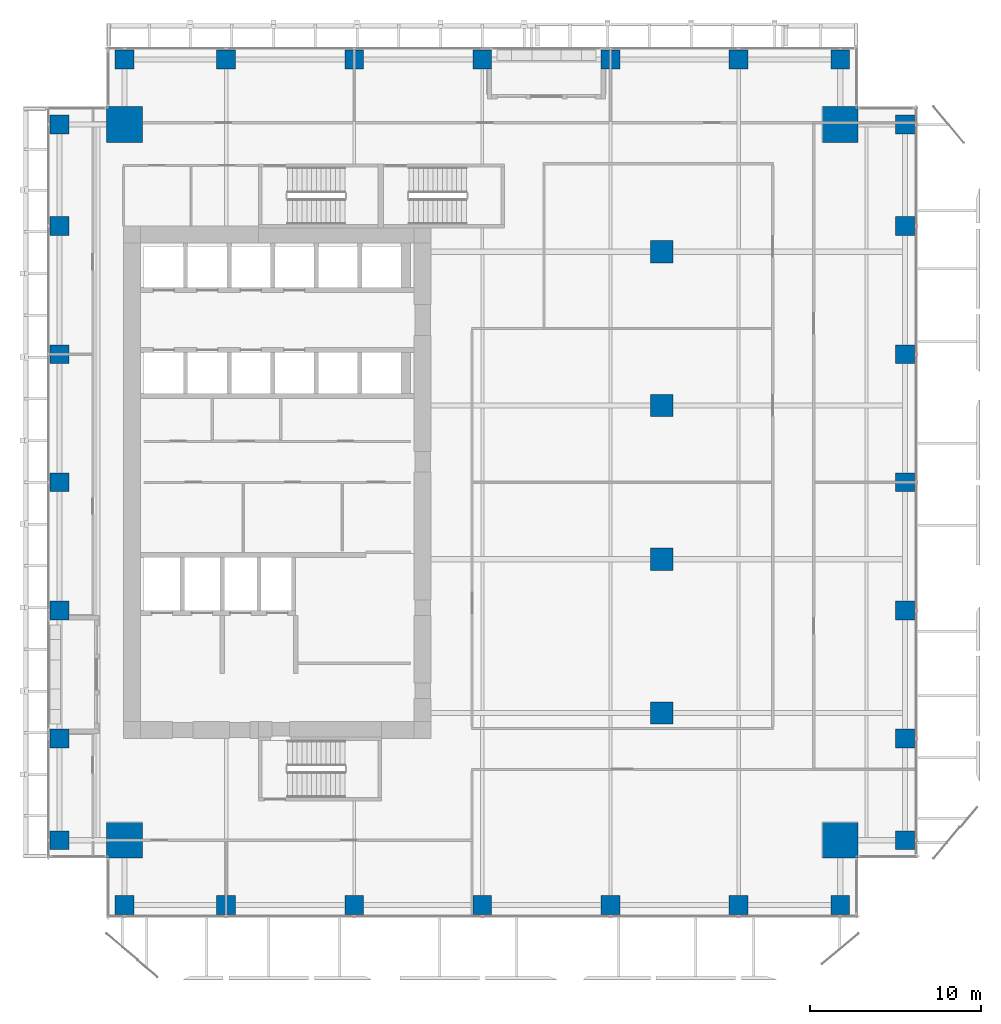
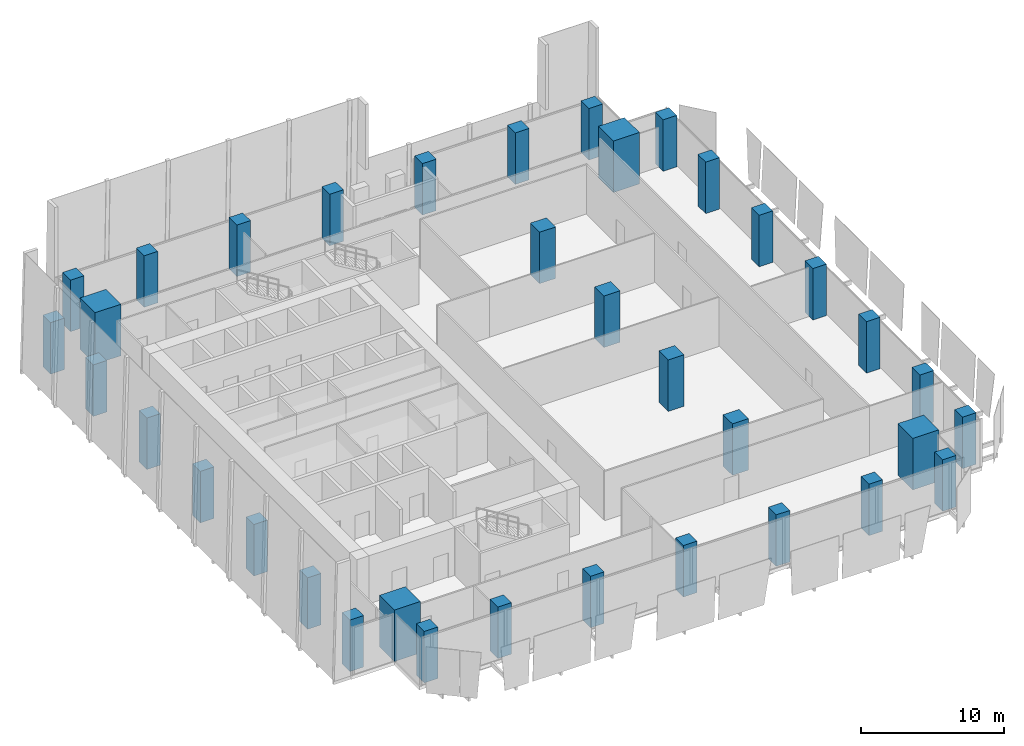
# One storey, part 1 of 34: 36 columns.
"""IFC4 building model written with IfcOpenShell, lengths in metres."""

import ifcopenshell
import ifcopenshell.guid

model = None  # the IFC model being written
_history = None  # IfcOwnerHistory: only IFC2X3 demands one
_inside = {}  # id of a spatial element -> (the spatial element, [elements in it])
_under = {}  # id of a project, library or spatial element -> (it, [spatial elements below it])
_declared = {}  # id of a project -> (the project, [libraries it declares])
_typed = {}  # id of a type object -> (the type object, [elements of that type])
_made_of = {}  # id of a material, layer set ... -> (it, [elements and type objects made of it])


def new_model(schema):
    """Start an empty IFC model of exactly this schema.

    Asked for "IFC4X3", IfcOpenShell would pick the latest addendum, in which some entities
    have other attributes; the version numbers below select the first issue.
    IFC2X3 requires an IfcOwnerHistory on every rooted entity: one is made here for all.
    """
    global model, _history
    if schema == "IFC4X3":
        model = ifcopenshell.file(schema_version=(4, 3, 0, 0))
    else:
        model = ifcopenshell.file(schema=schema)
    _inside.clear()
    _under.clear()
    _declared.clear()
    _typed.clear()
    _made_of.clear()
    _history = None
    if model.schema == "IFC2X3":
        org = make("IfcOrganization", Name="unknown")
        user = make(
            "IfcPersonAndOrganization",
            ThePerson=make("IfcPerson", FamilyName="unknown"),
            TheOrganization=org,
        )
        app = make(
            "IfcApplication",
            ApplicationDeveloper=org,
            Version="unknown",
            ApplicationFullName="unknown",
            ApplicationIdentifier="unknown",
        )
        _history = make(
            "IfcOwnerHistory",
            OwningUser=user,
            OwningApplication=app,
            ChangeAction="ADDED",
            CreationDate=0,
        )
    return model


def make(cls, **values):
    """One entity of the class cls with the attributes given. An attribute that is None is left unset."""
    return model.create_entity(
        cls, **{name: value for name, value in values.items() if value is not None}
    )


def rooted(cls, **values):
    """An entity with a GlobalId (a new one), such as an element, a storey or a relation."""
    return make(cls, GlobalId=ifcopenshell.guid.new(), OwnerHistory=_history, **values)


def si_unit(unit_type, name, prefix=None):
    """IfcSIUnit, for example si_unit("LENGTHUNIT", "METRE", prefix="MILLI")."""
    return make("IfcSIUnit", UnitType=unit_type, Prefix=prefix, Name=name)


def assignment(units):
    """IfcUnitAssignment: the units of a project."""
    return None if units is None else make("IfcUnitAssignment", Units=units)


def point(xyz):
    """IfcCartesianPoint."""
    return None if xyz is None else make("IfcCartesianPoint", Coordinates=xyz)


def direction(xyz):
    """IfcDirection."""
    return None if xyz is None else make("IfcDirection", DirectionRatios=xyz)


def frame(location, z_axis=None, x_axis=None):
    """IfcAxis2Placement3D, a coordinate frame: its origin and axes. An axis left out is left unset."""
    return make(
        "IfcAxis2Placement3D",
        Location=point(location),
        Axis=direction(z_axis),
        RefDirection=direction(x_axis),
    )


def frame_2d(location, x_axis=None):
    """IfcAxis2Placement2D, a coordinate frame in the plane: its origin and x axis."""
    return make(
        "IfcAxis2Placement2D", Location=point(location), RefDirection=direction(x_axis)
    )


def origin():
    """The frame at (0, 0, 0) with its axes left unset."""
    return frame((0.0, 0.0, 0.0))


def origin_2d():
    """The frame at (0, 0) in the plane with its x axis left unset."""
    return frame_2d((0.0, 0.0))


def place(relative_to, where):
    """IfcLocalPlacement: puts the frame where relative to a parent placement (None: the world)."""
    return make(
        "IfcLocalPlacement", PlacementRelTo=relative_to, RelativePlacement=where
    )


def context(
    kind, dimensions, precision=None, world=None, true_north=None, identifier=None
):
    """IfcGeometricRepresentationContext, for example the 3D "Model" context."""
    return make(
        "IfcGeometricRepresentationContext",
        ContextIdentifier=identifier,
        ContextType=kind,
        CoordinateSpaceDimension=dimensions,
        Precision=precision,
        WorldCoordinateSystem=world,
        TrueNorth=true_north,
    )


def subcontext(parent, identifier, kind, view, scale=None):
    """IfcGeometricRepresentationSubContext, for example "Body" below "Model"."""
    return make(
        "IfcGeometricRepresentationSubContext",
        ContextIdentifier=identifier,
        ContextType=kind,
        ParentContext=parent,
        TargetScale=scale,
        TargetView=view,
    )


def project(units=None, contexts=None):
    """IfcProject with its units and contexts."""
    return rooted(
        "IfcProject",
        Name="project",
        RepresentationContexts=contexts,
        UnitsInContext=assignment(units),
    )


def spatial(cls, under=None, at=None, **own):
    """A site, building, storey or space (cls), placed at a placement, below another one or the project."""
    s = rooted(cls, ObjectPlacement=at, **own)
    if under is not None:
        _under.setdefault(under.id(), (under, []))[1].append(s)
    return s


def profile(cls, at=None, kind="AREA", **sizes):
    """A parametric profile (cls). Its sizes go by their IFC names, for example OverallWidth=200.0."""
    return make(cls, ProfileType=kind, Position=at, **sizes)


def rectangle(**sizes):
    """IfcRectangleProfileDef."""
    return profile("IfcRectangleProfileDef", **sizes)


def extrude(swept, where, along, depth):
    """IfcExtrudedAreaSolid: the profile swept, set in the frame where, extruded along a direction by depth."""
    return make(
        "IfcExtrudedAreaSolid",
        SweptArea=swept,
        Position=where,
        ExtrudedDirection=direction(along),
        Depth=depth,
    )


def shape(context_of_items, identifier, shape_type, items):
    """IfcShapeRepresentation: the items that make up one representation, for example the "Body"."""
    return make(
        "IfcShapeRepresentation",
        ContextOfItems=context_of_items,
        RepresentationIdentifier=identifier,
        RepresentationType=shape_type,
        Items=items,
    )


def source(mapping_origin, context_of_items, identifier, shape_type, items):
    """IfcRepresentationMap: a shape defined once, which mapped items show again and again."""
    return make(
        "IfcRepresentationMap",
        MappingOrigin=mapping_origin,
        MappedRepresentation=shape(context_of_items, identifier, shape_type, items),
    )


def transform(
    local_origin,
    x_axis=None,
    y_axis=None,
    z_axis=None,
    scale=None,
    scale2=None,
    scale3=None,
    uniform=True,
):
    """IfcCartesianTransformationOperator3D, or its non-uniform kind. x_axis, y_axis, z_axis: its Axis1, 2, 3."""
    if uniform:
        return make(
            "IfcCartesianTransformationOperator3D",
            Axis1=direction(x_axis),
            Axis2=direction(y_axis),
            LocalOrigin=point(local_origin),
            Scale=scale,
            Axis3=direction(z_axis),
        )
    return make(
        "IfcCartesianTransformationOperator3DnonUniform",
        Axis1=direction(x_axis),
        Axis2=direction(y_axis),
        LocalOrigin=point(local_origin),
        Scale=scale,
        Axis3=direction(z_axis),
        Scale2=scale2,
        Scale3=scale3,
    )


def mapped(mapping_source, mapping_target):
    """IfcMappedItem: shows the shape of a source again, moved by a transform."""
    return make(
        "IfcMappedItem", MappingSource=mapping_source, MappingTarget=mapping_target
    )


def material(Name=None, Category=None):
    """IfcMaterial."""
    return make("IfcMaterial", Name=Name, Category=Category)


def material_profile(
    of_material, cross_section, Name=None, Category=None, Priority=None
):
    """IfcMaterialProfile: a cross section and its material."""
    return make(
        "IfcMaterialProfile",
        Name=Name,
        Material=of_material,
        Profile=cross_section,
        Priority=Priority,
        Category=Category,
    )


def profile_set(profiles, Name=None, composite=None):
    """IfcMaterialProfileSet."""
    return make(
        "IfcMaterialProfileSet",
        Name=Name,
        MaterialProfiles=profiles,
        CompositeProfile=composite,
    )


def made_of(thing, what):
    """Note that an element or type object is made of a material, layer set ...; save() writes the relation."""
    if what is not None:
        _made_of.setdefault(what.id(), (what, []))[1].append(thing)
    return thing


def type_object(cls, material=None, **own):
    """A type object (cls), such as IfcWallType, which elements share."""
    return made_of(rooted(cls, **own), material)


def element(
    cls,
    number,
    at=None,
    inside=None,
    cuts=None,
    type_object=None,
    material=None,
    context=None,
    identifier="Body",
    shape_type=None,
    held_by="IfcProductDefinitionShape",
    body=None,
    shapes=None,
    **own,
):
    """One element of the class cls, such as IfcWall. Its Tag is "e" and its number.

    at: its placement. inside: the storey or other place that contains it. cuts: it is an
    opening in that element (IfcRelVoidsElement). A single representation is given by context,
    identifier, shape_type and body (its items); several are given by shapes. held_by: the class
    of the entity that holds the representations. save() writes the other relations.
    """
    e = rooted(cls, Tag="e%d" % number, ObjectPlacement=at, **own)
    if body is not None:
        shapes = [shape(context, identifier, shape_type, body)]
    if shapes is not None:
        e.Representation = make(held_by, Representations=shapes)
    if inside is not None:
        _inside.setdefault(inside.id(), (inside, []))[1].append(e)
    if cuts is not None:
        rooted(
            "IfcRelVoidsElement", RelatingBuildingElement=cuts, RelatedOpeningElement=e
        )
    if type_object is not None:
        _typed.setdefault(type_object.id(), (type_object, []))[1].append(e)
    return made_of(e, material)


def aggregate(whole, parts):
    """IfcRelAggregates: a whole, such as a stair, and the parts it consists of."""
    return rooted("IfcRelAggregates", RelatingObject=whole, RelatedObjects=parts)


def save(model, path):
    """Write the relations noted so far, then the file.

    IfcRelAggregates (storeys below a building ...), IfcRelContainedInSpatialStructure (elements
    in a storey), IfcRelDefinesByType, IfcRelAssociatesMaterial and IfcRelDeclares: one each for
    every whole, place, type object, material and project.
    """
    for whole, parts in _under.values():
        aggregate(whole, parts)
    for where, things in _inside.values():
        rooted(
            "IfcRelContainedInSpatialStructure",
            RelatedElements=things,
            RelatingStructure=where,
        )
    for kind, things in _typed.values():
        rooted("IfcRelDefinesByType", RelatedObjects=things, RelatingType=kind)
    for what, things in _made_of.values():
        rooted("IfcRelAssociatesMaterial", RelatedObjects=things, RelatingMaterial=what)
    for by, libraries in _declared.values():
        rooted("IfcRelDeclares", RelatingContext=by, RelatedDefinitions=libraries)
    model.write(path)


model = new_model("IFC4")

# Units and contexts
model_context = context("Model", 3, precision=1e-05, world=origin(), true_north=direction((0.0, 1.0)))
body_context = subcontext(model_context, "Body", "Model", "MODEL_VIEW")
ifc_project = project(units=[si_unit("LENGTHUNIT", "METRE"), si_unit("AREAUNIT", "SQUARE_METRE"), si_unit("VOLUMEUNIT", "CUBIC_METRE"), si_unit("PLANEANGLEUNIT", "RADIAN"), si_unit("MASSUNIT", "GRAM", prefix="KILO")], contexts=[model_context])

# Site, building, storey
site_placement = place(None, origin())
site = spatial("IfcSite", under=ifc_project, at=site_placement, CompositionType="ELEMENT")
building_placement = place(site_placement, origin())
building = spatial("IfcBuilding", under=site, at=building_placement, Name="Khomas Fold Tower", CompositionType="ELEMENT")
storey_placement = place(building_placement, frame((0.0, 0.0, 154.300048828125)))
storey = spatial("IfcBuildingStorey", under=building, at=storey_placement, Name="L33", CompositionType="ELEMENT", Elevation=154.300048828125)

# Columns
ifc_material_1 = material(Name="Concrete C70/85", Category="concrete")
ifc_material_profile_1 = material_profile(ifc_material_1, rectangle(XDim=2.10009765625, YDim=2.10009765625, at=origin_2d()), Name="RC 2100x2100")
ifc_profile_set_1 = profile_set([ifc_material_profile_1], Name="Concrete C70/85")
column_type_1 = type_object("IfcColumnType", Name="RC 2100x2100 column", PredefinedType="COLUMN", material=ifc_profile_set_1)
shared_shape_1 = source(origin(), body_context, "Body", "SweptSolid", [
    extrude(rectangle(XDim=2.10009765625, YDim=2.10009765625, at=origin_2d()), origin(), (0.0, 0.0, 1.0), 4.39990234375),
])
for number, where, z_axis, x_axis, name in (
    (1, (47.949951171875, 47.949951171875, 0.0), (0.0, 0.0, 1.0), (1.0, 0.0, 0.0), "CM-NE"),
    (2, (6.050048828125, 47.949951171875, 0.0), (0.0, 0.0, 1.0), (1.0, 0.0, 0.0), "CM-NW"),
    (3, (47.949951171875, 6.050048828125, 0.0), (0.0, 0.0, 1.0), (1.0, 0.0, 0.0), "CM-SE"),
    (4, (6.050048828125, 6.050048828125, 0.0), (0.0, 0.0, 1.0), (1.0, 0.0, 0.0), "CM-SW"),
):
    element("IfcColumn", number, at=place(storey_placement, frame(where, z_axis=z_axis, x_axis=x_axis)), inside=storey, type_object=column_type_1, Name=name, PredefinedType="COLUMN", context=body_context, shape_type="MappedRepresentation", body=[
        mapped(shared_shape_1, transform((0.0, 0.0, 0.0))),
    ])
ifc_material_2 = material(Name="Concrete C50/60", Category="concrete")
ifc_material_profile_2 = material_profile(ifc_material_2, rectangle(XDim=1.10009765625, YDim=1.10009765625, at=origin_2d()), Name="RC 1100x1100")
ifc_profile_set_2 = profile_set([ifc_material_profile_2], Name="Concrete C50/60")
column_type_2 = type_object("IfcColumnType", Name="RC 1100x1100 column", PredefinedType="COLUMN", material=ifc_profile_set_2)
shared_shape_2 = source(origin(), body_context, "Body", "SweptSolid", [
    extrude(rectangle(XDim=1.10009765625, YDim=1.10009765625, at=origin_2d()), origin(), (0.0, 0.0, 1.0), 4.39990234375),
])
for number, where, z_axis, x_axis, name in (
    (5, (6.050048828125, 2.25, 0.0), (0.0, 0.0, 1.0), (1.0, 0.0, 0.0), "C-3-SF2"),
    (6, (12.0, 2.25, 0.0), (0.0, 0.0, 1.0), (1.0, 0.0, 0.0), "C-6-SF2"),
    (7, (19.5, 2.25, 0.0), (0.0, 0.0, 1.0), (1.0, 0.0, 0.0), "C-8-SF2"),
    (8, (27.0, 2.25, 0.0), (0.0, 0.0, 1.0), (1.0, 0.0, 0.0), "C-9-SF2"),
    (9, (34.5, 2.25, 0.0), (0.0, 0.0, 1.0), (1.0, 0.0, 0.0), "C-10-SF2"),
    (10, (42.0, 2.25, 0.0), (0.0, 0.0, 1.0), (1.0, 0.0, 0.0), "C-13-SF2"),
    (11, (47.949951171875, 2.25, 0.0), (0.0, 0.0, 1.0), (1.0, 0.0, 0.0), "C-16-SF2"),
    (12, (51.75, 6.050048828125, 0.0), (0.0, 0.0, 1.0), (1.0, 0.0, 0.0), "C-E2-C"),
    (13, (51.75, 12.0, 0.0), (0.0, 0.0, 1.0), (1.0, 0.0, 0.0), "C-E2-F"),
    (14, (51.75, 19.5, 0.0), (0.0, 0.0, 1.0), (1.0, 0.0, 0.0), "C-E2-J"),
    (15, (51.75, 27.0, 0.0), (0.0, 0.0, 1.0), (1.0, 0.0, 0.0), "C-E2-L"),
    (16, (51.75, 34.5, 0.0), (0.0, 0.0, 1.0), (1.0, 0.0, 0.0), "C-E2-N"),
    (17, (51.75, 42.0, 0.0), (0.0, 0.0, 1.0), (1.0, 0.0, 0.0), "C-E2-R"),
    (18, (51.75, 47.949951171875, 0.0), (0.0, 0.0, 1.0), (1.0, 0.0, 0.0), "C-E2-U"),
    (19, (6.050048828125, 51.75, 0.0), (0.0, 0.0, 1.0), (1.0, 0.0, 0.0), "C-3-NF2"),
    (20, (12.0, 51.75, 0.0), (0.0, 0.0, 1.0), (1.0, 0.0, 0.0), "C-6-NF2"),
    (21, (19.5, 51.75, 0.0), (0.0, 0.0, 1.0), (1.0, 0.0, 0.0), "C-8-NF2"),
    (22, (27.0, 51.75, 0.0), (0.0, 0.0, 1.0), (1.0, 0.0, 0.0), "C-9-NF2"),
    (23, (34.5, 51.75, 0.0), (0.0, 0.0, 1.0), (1.0, 0.0, 0.0), "C-10-NF2"),
    (24, (42.0, 51.75, 0.0), (0.0, 0.0, 1.0), (1.0, 0.0, 0.0), "C-13-NF2"),
    (25, (47.949951171875, 51.75, 0.0), (0.0, 0.0, 1.0), (1.0, 0.0, 0.0), "C-16-NF2"),
    (26, (2.25, 6.050048828125, 0.0), (0.0, 0.0, 1.0), (1.0, 0.0, 0.0), "C-W2-C"),
    (27, (2.25, 12.0, 0.0), (0.0, 0.0, 1.0), (1.0, 0.0, 0.0), "C-W2-F"),
    (28, (2.25, 19.5, 0.0), (0.0, 0.0, 1.0), (1.0, 0.0, 0.0), "C-W2-J"),
    (29, (2.25, 27.0, 0.0), (0.0, 0.0, 1.0), (1.0, 0.0, 0.0), "C-W2-L"),
    (30, (2.25, 34.5, 0.0), (0.0, 0.0, 1.0), (1.0, 0.0, 0.0), "C-W2-N"),
    (31, (2.25, 42.0, 0.0), (0.0, 0.0, 1.0), (1.0, 0.0, 0.0), "C-W2-R"),
    (32, (2.25, 47.949951171875, 0.0), (0.0, 0.0, 1.0), (1.0, 0.0, 0.0), "C-W2-U"),
):
    element("IfcColumn", number, at=place(storey_placement, frame(where, z_axis=z_axis, x_axis=x_axis)), inside=storey, type_object=column_type_2, Name=name, PredefinedType="COLUMN", context=body_context, shape_type="MappedRepresentation", body=[
        mapped(shared_shape_2, transform((0.0, 0.0, 0.0))),
    ])
ifc_material_3 = material(Name="Concrete C60/75", Category="concrete")
ifc_material_profile_3 = material_profile(ifc_material_3, rectangle(XDim=1.300048828125, YDim=1.300048828125, at=origin_2d()), Name="RC 1300x1300")
ifc_profile_set_3 = profile_set([ifc_material_profile_3], Name="Concrete C60/75")
column_type_3 = type_object("IfcColumnType", Name="RC 1300x1300 column", PredefinedType="COLUMN", material=ifc_profile_set_3)
shared_shape_3 = source(origin(), body_context, "Body", "SweptSolid", [
    extrude(rectangle(XDim=1.300048828125, YDim=1.300048828125, at=origin_2d()), origin(), (0.0, 0.0, 1.0), 4.39990234375),
])
for number, where, z_axis, x_axis, name in (
    (33, (37.5, 13.5, 0.0), (0.0, 0.0, 1.0), (1.0, 0.0, 0.0), "C-11-H"),
    (34, (37.5, 22.5, 0.0), (0.0, 0.0, 1.0), (1.0, 0.0, 0.0), "C-11-K"),
    (35, (37.5, 31.5, 0.0), (0.0, 0.0, 1.0), (1.0, 0.0, 0.0), "C-11-M"),
    (36, (37.5, 40.5, 0.0), (0.0, 0.0, 1.0), (1.0, 0.0, 0.0), "C-11-P"),
):
    element("IfcColumn", number, at=place(storey_placement, frame(where, z_axis=z_axis, x_axis=x_axis)), inside=storey, type_object=column_type_3, Name=name, PredefinedType="COLUMN", context=body_context, shape_type="MappedRepresentation", body=[
        mapped(shared_shape_3, transform((0.0, 0.0, 0.0))),
    ])

save(model, "model.ifc")
